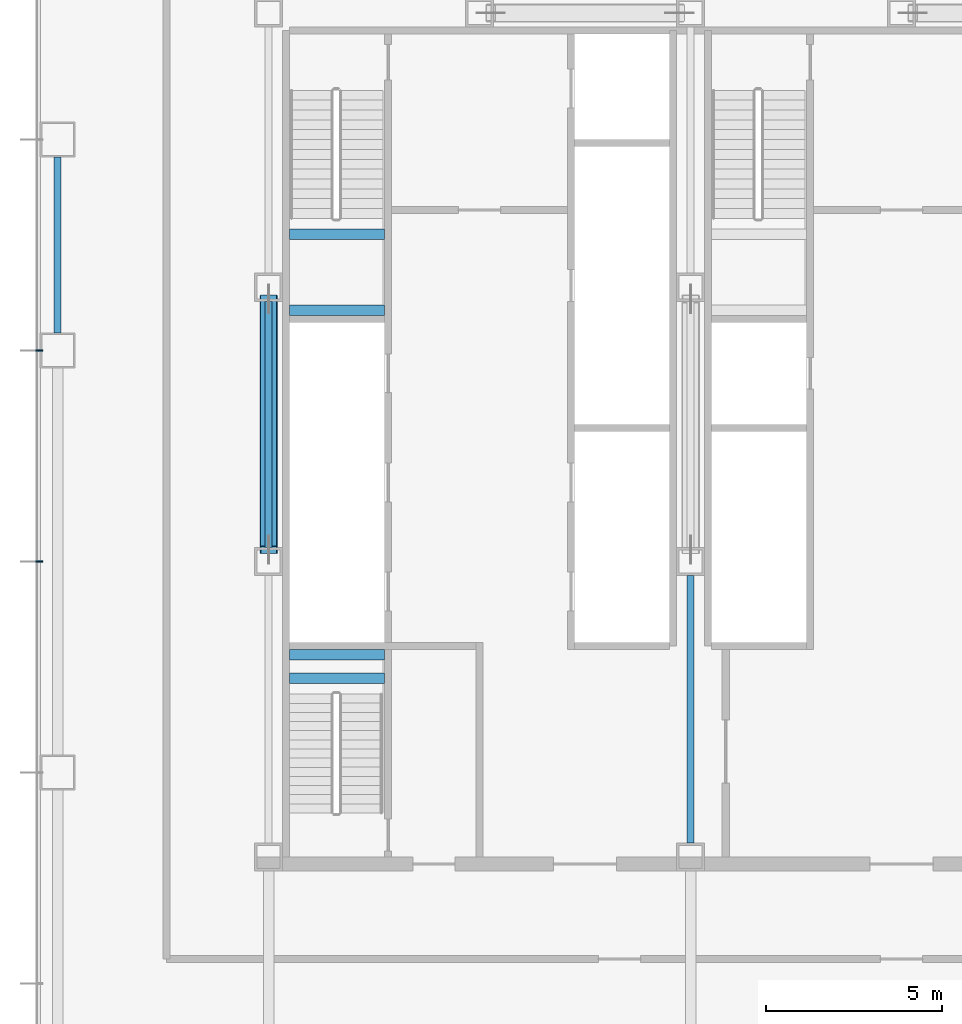
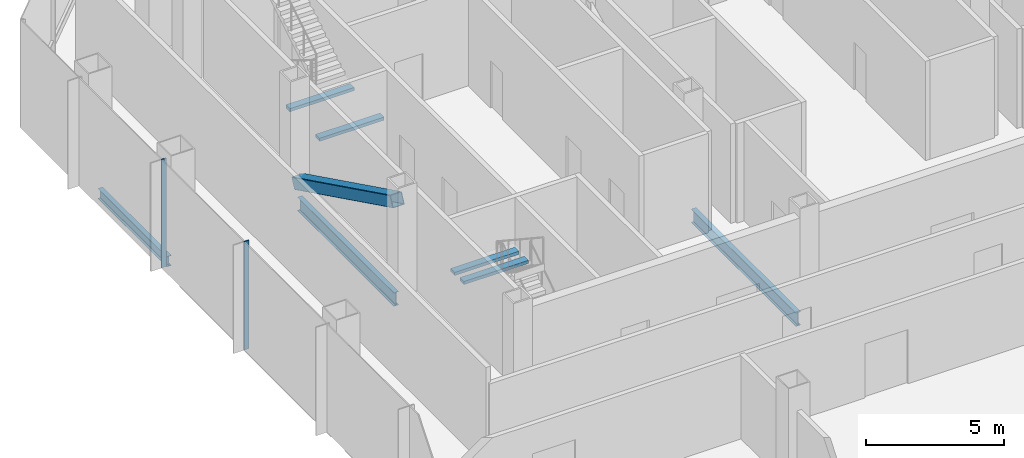
# One storey, part 11 of 33: 7 beams, 3 members, 1 element without a shape of its own.
"""IFC4 building model written with IfcOpenShell, lengths in metres."""

from ifc_helpers import new_model, si_unit, direction, frame, origin, origin_2d, place, context, subcontext, project, spatial, rectangle, hollow_rectangle, i_section, extrude, material, material_profile, profile_set, type_object, element, aggregate, save


model = new_model("IFC4")

# Units and contexts
model_context = context("Model", 3, precision=1e-05, world=origin(), true_north=direction((0.0, 1.0)))
body_context = subcontext(model_context, "Body", "Model", "MODEL_VIEW")
ifc_project = project(units=[si_unit("LENGTHUNIT", "METRE"), si_unit("AREAUNIT", "SQUARE_METRE"), si_unit("VOLUMEUNIT", "CUBIC_METRE"), si_unit("PLANEANGLEUNIT", "RADIAN"), si_unit("MASSUNIT", "GRAM", prefix="KILO")], contexts=[model_context])

# Site, building, storey
site_placement = place(None, origin())
site = spatial("IfcSite", under=ifc_project, at=site_placement, CompositionType="ELEMENT")
building_placement = place(site_placement, origin())
building = spatial("IfcBuilding", under=site, at=building_placement, Name="Sorahane Residences", CompositionType="ELEMENT")
storey_placement = place(building_placement, frame((0.0, 0.0, 25.199951171875)))
storey = spatial("IfcBuildingStorey", under=building, at=storey_placement, Name="L03", CompositionType="ELEMENT", Elevation=25.199951171875)

# Member
ifc_material_1 = material(Name="Steel Q355B", Category="steel")
ifc_material_profile_1 = material_profile(ifc_material_1, hollow_rectangle(XDim=0.5, YDim=0.5, WallThickness=0.02490234375, InnerFilletRadius=0.012451171875, OuterFilletRadius=0.03759765625, at=origin_2d()), Name="RHS 500x500x25")
ifc_profile_set_1 = profile_set([ifc_material_profile_1], Name="Steel Q355B")
member_type_1 = type_object("IfcMemberType", Name="Core brace RHS 500x500x25 Q355B", PredefinedType="BRACE", material=ifc_profile_set_1)
member_1_placement = place(storey_placement, frame((6.0, 37.46630859375, 0.21728515625), z_axis=(0.0, -0.89697311716, 0.44208509033), x_axis=(1.0, 0.0, 0.0)))
element("IfcMember", 1, at=member_1_placement, inside=storey, type_object=member_type_1, Name="Core brace L03 x6-2", PredefinedType="BRACE", context=body_context, shape_type="SweptSolid", body=[
    extrude(hollow_rectangle(XDim=0.5, YDim=0.5, WallThickness=0.02490234375, InnerFilletRadius=0.012451171875, OuterFilletRadius=0.03759765625, at=origin_2d()), origin(), (0.0, 0.0, 1.0), 7.951904296875),
])

# Curtain wall, members
ifc_material_2 = material(Name="Dark low-e glass and black anodised aluminium", Category="aluminium")
curtain_wall_type = type_object("IfcCurtainWallType", Name="Curtain wall CW-3 Podium unitised wall", PredefinedType="NOTDEFINED", material=ifc_material_2)
curtain_wall_placement = place(storey_placement, origin())
curtain_wall = element("IfcCurtainWall", 2, at=curtain_wall_placement, inside=storey, type_object=curtain_wall_type, Name="CW-3 curtain wall L03 W1", PredefinedType="NOTDEFINED")
ifc_material_3 = material(Name="Black anodised aluminium", Category="aluminium")
ifc_material_profile_2 = material_profile(ifc_material_3, rectangle(XDim=0.199951171875, YDim=0.050048828125, at=origin_2d()), Name="Curtain wall mullion CW-3 black anodised aluminium 50x200")
ifc_profile_set_2 = profile_set([ifc_material_profile_2], Name="Black anodised aluminium")
member_type_2 = type_object("IfcMemberType", Name="Curtain wall mullion CW-3 black anodised aluminium 50x200", PredefinedType="MULLION", material=ifc_profile_set_2)
member_2_placement = place(storey_placement, frame((-0.52001953125, 36.0, -0.39990234375), z_axis=(0.0, 0.0, 1.0), x_axis=(-1.0, 0.0, 0.0)))
member_2 = element("IfcMember", 3, at=member_2_placement, type_object=member_type_2, Name="CW-3 mullion L03 W1.3", PredefinedType="MULLION", context=body_context, shape_type="SweptSolid", body=[
    extrude(rectangle(XDim=0.199951171875, YDim=0.050048828125, at=origin_2d()), origin(), (0.0, 0.0, 1.0), 4.800048828125),
])
member_3_placement = place(storey_placement, frame((-0.52001953125, 30.0, -0.39990234375), z_axis=(0.0, 0.0, 1.0), x_axis=(-1.0, 0.0, 0.0)))
member_3 = element("IfcMember", 4, at=member_3_placement, type_object=member_type_2, Name="CW-3 mullion L03 W1.4", PredefinedType="MULLION", context=body_context, shape_type="SweptSolid", body=[
    extrude(rectangle(XDim=0.199951171875, YDim=0.050048828125, at=origin_2d()), origin(), (0.0, 0.0, 1.0), 4.800048828125),
])
aggregate(curtain_wall, [member_2, member_3])

# Beams
ifc_material_4 = material(Name="Concrete C40", Category="concrete")
ifc_material_profile_3 = material_profile(ifc_material_4, rectangle(XDim=0.300048828125, YDim=0.139892578125, at=origin_2d()), Name="300x140")
ifc_profile_set_3 = profile_set([ifc_material_profile_3], Name="Concrete C40")
beam_type_1 = type_object("IfcBeamType", Name="RC landing beam 300 x 140 Concrete C40", PredefinedType="BEAM", material=ifc_profile_set_3)
for number, where, z_axis, x_axis, name in (
    (5, (6.60009765625, 37.14990234375, 2.130126953125), (1.0, 0.0, 0.0), (0.0, 1.0, 0.0), "Landing beam"),
    (6, (6.60009765625, 39.31005859375, 2.130126953125), (1.0, 0.0, 0.0), (0.0, 1.0, 0.0), "Landing beam"),
    (7, (6.60009765625, 26.679931640625, 2.130126953125), (1.0, 0.0, 0.0), (0.0, 1.0, 0.0), "Landing beam"),
    (8, (6.60009765625, 27.35009765625, 2.130126953125), (1.0, 0.0, 0.0), (0.0, 1.0, 0.0), "Landing beam"),
):
    element("IfcBeam", number, at=place(storey_placement, frame(where, z_axis=z_axis, x_axis=x_axis)), inside=storey, type_object=beam_type_1, Name=name, PredefinedType="BEAM", context=body_context, shape_type="SweptSolid", body=[
        extrude(rectangle(XDim=0.300048828125, YDim=0.139892578125, at=origin_2d()), origin(), (0.0, 0.0, 1.0), 2.699951171875),
    ])
ifc_material_5 = material(Name="Steel Q355B", Category="steel")
ifc_material_profile_4 = material_profile(ifc_material_5, i_section(OverallWidth=0.199951171875, OverallDepth=0.449951171875, WebThickness=0.009033203125, FlangeThickness=0.013916015625, FilletRadius=0.02001953125, at=origin_2d()), Name="HN 450x200x9x14")
ifc_profile_set_4 = profile_set([ifc_material_profile_4], Name="Steel Q355B")
beam_type_2 = type_object("IfcBeamType", Name="Steel floor beam HN 450x200x9x14 Q355B", PredefinedType="BEAM", material=ifc_profile_set_4)
beam_1_placement = place(storey_placement, frame((0.0, 36.5, -0.625), z_axis=(0.0, 1.0, 0.0), x_axis=(-1.0, 0.0, 0.0)))
element("IfcBeam", 9, at=beam_1_placement, inside=storey, type_object=beam_type_2, Name="Beam L03 028", PredefinedType="BEAM", context=body_context, shape_type="SweptSolid", body=[
    extrude(i_section(OverallWidth=0.199951171875, OverallDepth=0.449951171875, WebThickness=0.009033203125, FlangeThickness=0.013916015625, FilletRadius=0.02001953125, at=origin_2d()), origin(), (0.0, 0.0, 1.0), 5.0),
])
ifc_material_6 = material(Name="Steel Q355B", Category="steel")
ifc_material_profile_5 = material_profile(ifc_material_6, i_section(OverallWidth=0.199951171875, OverallDepth=0.60009765625, WebThickness=0.010986328125, FlangeThickness=0.01708984375, FilletRadius=0.02392578125, at=origin_2d()), Name="HN 600x200x11x17")
ifc_profile_set_5 = profile_set([ifc_material_profile_5], Name="Steel Q355B")
beam_type_3 = type_object("IfcBeamType", Name="Steel floor beam HN 600x200x11x17 Q355B", PredefinedType="BEAM", material=ifc_profile_set_5)
beam_2_placement = place(storey_placement, frame((6.0, 30.39990234375, -0.699951171875), z_axis=(0.0, 1.0, 0.0), x_axis=(-1.0, 0.0, 0.0)))
element("IfcBeam", 10, at=beam_2_placement, inside=storey, type_object=beam_type_3, Name="Beam L03 032", PredefinedType="BEAM", context=body_context, shape_type="SweptSolid", body=[
    extrude(i_section(OverallWidth=0.199951171875, OverallDepth=0.60009765625, WebThickness=0.010986328125, FlangeThickness=0.01708984375, FilletRadius=0.02392578125, at=origin_2d()), origin(), (0.0, 0.0, 1.0), 7.0),
])
beam_3_placement = place(storey_placement, frame((18.0, 22.0, -0.699951171875), z_axis=(0.0, 1.0, 0.0), x_axis=(-1.0, 0.0, 0.0)))
element("IfcBeam", 11, at=beam_3_placement, inside=storey, type_object=beam_type_3, Name="Beam L03 040", PredefinedType="BEAM", context=body_context, shape_type="SweptSolid", body=[
    extrude(i_section(OverallWidth=0.199951171875, OverallDepth=0.60009765625, WebThickness=0.010986328125, FlangeThickness=0.01708984375, FilletRadius=0.02392578125, at=origin_2d()), origin(), (0.0, 0.0, 1.0), 7.60009765625),
])

save(model, "model.ifc")
